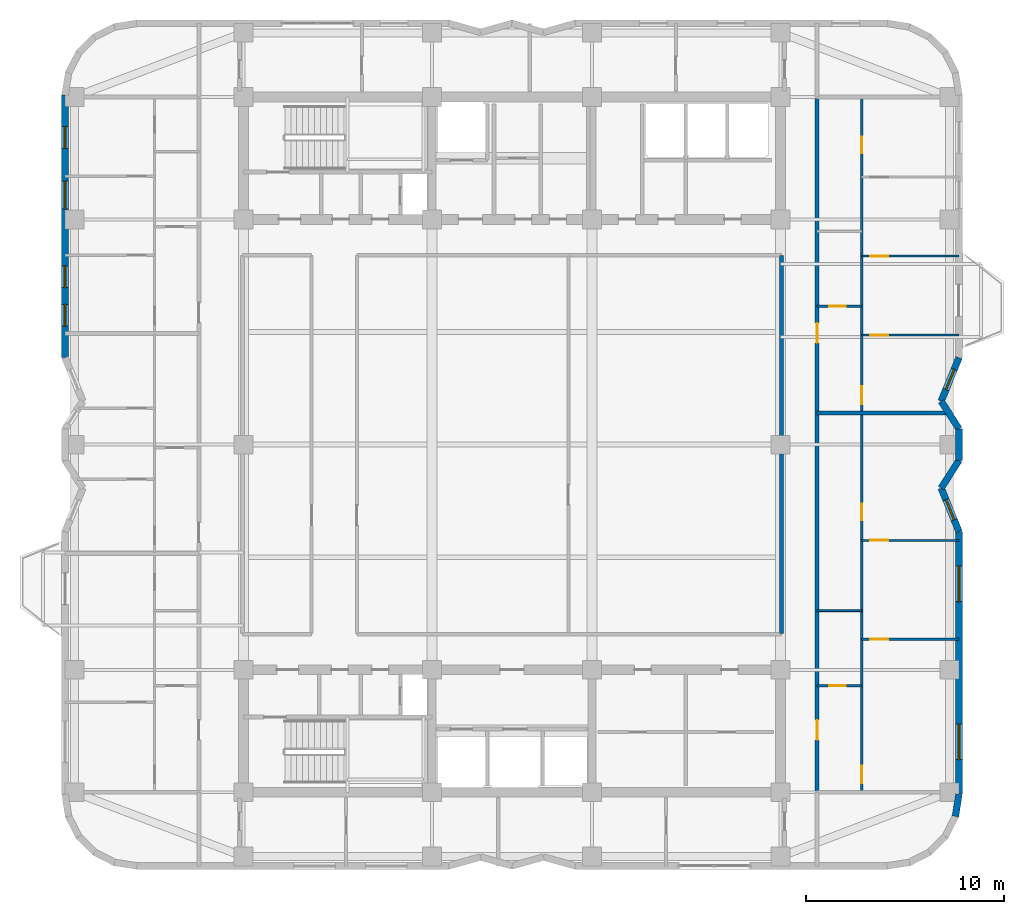
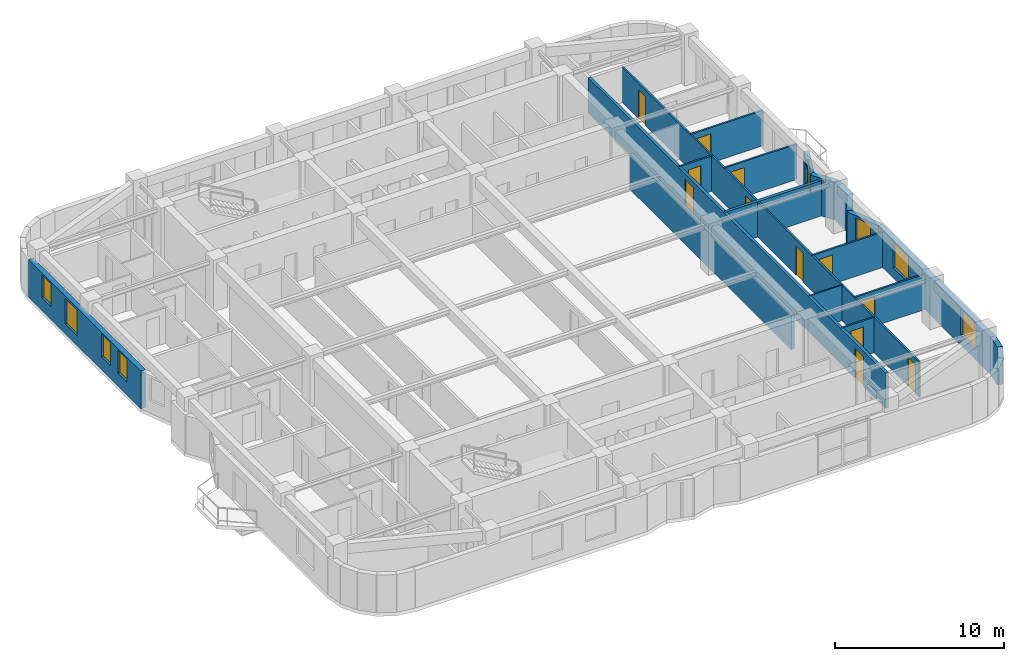
# One storey, part 7 of 12: 20 walls, 12 doors, 8 windows, 20 openings.
"""IFC4 building model written with IfcOpenShell, lengths in metres."""

from ifc_helpers import new_model, si_unit, direction, frame, frame_2d, origin, place, context, subcontext, project, spatial, rectangle, extrude, material, layer, layer_set, type_object, element, fill, save


model = new_model("IFC4")

# Units and contexts
model_context = context("Model", 3, precision=1e-05, world=origin(), true_north=direction((0.0, 1.0)))
body_context = subcontext(model_context, "Body", "Model", "MODEL_VIEW")
ifc_project = project(units=[si_unit("LENGTHUNIT", "METRE"), si_unit("AREAUNIT", "SQUARE_METRE"), si_unit("VOLUMEUNIT", "CUBIC_METRE"), si_unit("PLANEANGLEUNIT", "RADIAN"), si_unit("MASSUNIT", "GRAM", prefix="KILO")], contexts=[model_context])

# Site, building, storey
site_placement = place(None, origin())
site = spatial("IfcSite", under=ifc_project, at=site_placement, CompositionType="ELEMENT")
building_placement = place(site_placement, origin())
building = spatial("IfcBuilding", under=site, at=building_placement, Name="Svetorya Sky Lyceum", CompositionType="ELEMENT")
storey_placement = place(building_placement, frame((0.0, 0.0, 158.89990234375)))
storey = spatial("IfcBuildingStorey", under=building, at=storey_placement, Name="L39", CompositionType="ELEMENT", Elevation=158.89990234375)

# Wall
ifc_material_1 = material(Name="Putilovo limestone rainscreen on autoclaved cellular masonry", Category="masonry")
ifc_layer_1 = layer(ifc_material_1, 0.340087890625)
ifc_layer_set_1 = layer_set([ifc_layer_1], Name="Putilovo limestone rainscreen on autoclaved cellular masonry")
wall_type_1 = type_object("IfcWallType", Name="WL-EXT-340", PredefinedType="SOLIDWALL", material=ifc_layer_set_1)
wall_1_placement = place(storey_placement, frame((61.65234375, 9.37841796875, 0.0), z_axis=(0.0, 0.0, 1.0), x_axis=(0.156514556949, 0.987675651954, 0.0)))
element("IfcWall", 1, at=wall_1_placement, inside=storey, type_object=wall_type_1, Name="L39 Limestone Exterior Wall 16M", PredefinedType="SOLIDWALL", context=body_context, shape_type="SweptSolid", body=[
    extrude(rectangle(XDim=1.135498046875, YDim=0.340087890625, at=frame_2d((0.56787109375, 0.0))), origin(), (0.0, 0.0, 1.0), 2.72021484375),
])

# Wall, openings, windows
wall_2_placement = place(storey_placement, frame((61.830078125, 10.5, 0.0), z_axis=(0.0, 0.0, 1.0), x_axis=(0.0, 1.0, 0.0)))
wall_2 = element("IfcWall", 2, at=wall_2_placement, inside=storey, type_object=wall_type_1, Name="L39 Limestone Exterior Wall 17M", PredefinedType="SOLIDWALL", context=body_context, shape_type="SweptSolid", body=[
    extrude(rectangle(XDim=13.300048828125, YDim=0.340087890625, at=frame_2d((6.64990234375, 0.0))), origin(), (0.0, 0.0, 1.0), 2.72021484375),
])
opening_1_placement = place(wall_2_placement, frame((1.75, 0.0, 0.75)))
opening_1 = element("IfcOpeningElement", 3, at=opening_1_placement, cuts=wall_2, Name="Opening W-R1", PredefinedType="OPENING", context=body_context, shape_type="SweptSolid", body=[
    extrude(rectangle(XDim=1.800048828125, YDim=1.85009765625, at=frame_2d((0.89990234375, 0.925048828125))), frame((0.0, 0.179931640625, 0.0), z_axis=(0.0, -1.0, 0.0), x_axis=(1.0, 0.0, 0.0)), (0.0, 0.0, 1.0), 0.360107421875),
])
opening_2_placement = place(wall_2_placement, frame((9.75, 0.0, 0.75)))
opening_2 = element("IfcOpeningElement", 4, at=opening_2_placement, cuts=wall_2, Name="Opening W-R1", PredefinedType="OPENING", context=body_context, shape_type="SweptSolid", body=[
    extrude(rectangle(XDim=1.800048828125, YDim=1.85009765625, at=frame_2d((0.89990234375, 0.925048828125))), frame((0.0, 0.179931640625, 0.0), z_axis=(0.0, -1.0, 0.0), x_axis=(1.0, 0.0, 0.0)), (0.0, 0.0, 1.0), 0.360107421875),
])
ifc_material_2 = material(Name="Thermally broken aluminium frame with triple low-E glazing", Category="aluminium")
window_type_1 = type_object("IfcWindowType", Name="WN-RES-180", PartitioningType="DOUBLE_PANEL_VERTICAL", PredefinedType="WINDOW", material=ifc_material_2)
window_1_placement = place(opening_1_placement, origin())
window_1 = element("IfcWindow", 5, at=window_1_placement, inside=storey, type_object=window_type_1, Name="L39 Facade Window W-R1.17M.1", OverallHeight=1.85009765625, OverallWidth=1.800048828125, PartitioningType="SINGLE_PANEL", PredefinedType="WINDOW", context=body_context, shape_type="SweptSolid", body=[
    extrude(rectangle(XDim=1.800048828125, YDim=1.85009765625, at=frame_2d((0.89990234375, 0.925048828125))), frame((0.0, 0.030029296875, 0.0), z_axis=(0.0, -1.0, 0.0), x_axis=(1.0, 0.0, 0.0)), (0.0, 0.0, 1.0), 0.06005859375),
])
fill(opening_1, window_1)
window_2_placement = place(opening_2_placement, origin())
window_2 = element("IfcWindow", 6, at=window_2_placement, inside=storey, type_object=window_type_1, Name="L39 Facade Window W-R1.17M.2", OverallHeight=1.85009765625, OverallWidth=1.800048828125, PartitioningType="SINGLE_PANEL", PredefinedType="WINDOW", context=body_context, shape_type="SweptSolid", body=[
    extrude(rectangle(XDim=1.800048828125, YDim=1.85009765625, at=frame_2d((0.89990234375, 0.925048828125))), frame((0.0, 0.030029296875, 0.0), z_axis=(0.0, -1.0, 0.0), x_axis=(1.0, 0.0, 0.0)), (0.0, 0.0, 1.0), 0.06005859375),
])
fill(opening_2, window_2)

# Wall, opening, window
wall_3_placement = place(storey_placement, frame((61.830078125, 23.800048828125, 0.0), z_axis=(0.0, 0.0, 1.0), x_axis=(-0.378692835005, 0.925522412865, 0.0)))
wall_3 = element("IfcWall", 7, at=wall_3_placement, inside=storey, type_object=wall_type_1, Name="L39 Limestone Exterior Wall 18M", PredefinedType="SOLIDWALL", context=body_context, shape_type="SweptSolid", body=[
    extrude(rectangle(XDim=2.376953125, YDim=0.340087890625, at=frame_2d((1.1884765625, 0.0))), origin(), (0.0, 0.0, 1.0), 2.72021484375),
])
opening_3_placement = place(wall_3_placement, frame((0.638427734375, 0.0, 0.909912109375)))
opening_3 = element("IfcOpeningElement", 8, at=opening_3_placement, cuts=wall_3, Name="Opening W-R3", PredefinedType="OPENING", context=body_context, shape_type="SweptSolid", body=[
    extrude(rectangle(XDim=1.10009765625, YDim=1.64990234375, at=frame_2d((0.550048828125, 0.824951171875))), frame((0.0, 0.179931640625, 0.0), z_axis=(0.0, -1.0, 0.0), x_axis=(1.0, 0.0, 0.0)), (0.0, 0.0, 1.0), 0.360107421875),
])
window_type_2 = type_object("IfcWindowType", Name="WN-RES-110", PartitioningType="SINGLE_PANEL", PredefinedType="WINDOW", material=ifc_material_2)
window_3_placement = place(opening_3_placement, origin())
window_3 = element("IfcWindow", 9, at=window_3_placement, inside=storey, type_object=window_type_2, Name="L39 Facade Window W-R3.18M.1", OverallHeight=1.64990234375, OverallWidth=1.10009765625, PartitioningType="SINGLE_PANEL", PredefinedType="WINDOW", context=body_context, shape_type="SweptSolid", body=[
    extrude(rectangle(XDim=1.10009765625, YDim=1.64990234375, at=frame_2d((0.550048828125, 0.824951171875))), frame((0.0, 0.030029296875, 0.0), z_axis=(0.0, -1.0, 0.0), x_axis=(1.0, 0.0, 0.0)), (0.0, 0.0, 1.0), 0.06005859375),
])
fill(opening_3, window_3)

# Walls
wall_4_placement = place(storey_placement, frame((60.929931640625, 26.0, 0.0), z_axis=(0.0, 0.0, 1.0), x_axis=(0.540846555596, 0.841121277403, 0.0)))
element("IfcWall", 10, at=wall_4_placement, inside=storey, type_object=wall_type_1, Name="L39 Limestone Exterior Wall 19M", PredefinedType="SOLIDWALL", context=body_context, shape_type="SweptSolid", body=[
    extrude(rectangle(XDim=1.664306640625, YDim=0.340087890625, at=frame_2d((0.83203125, 0.0))), origin(), (0.0, 0.0, 1.0), 2.72021484375),
])
wall_5_placement = place(storey_placement, frame((61.830078125, 27.39990234375, 0.0), z_axis=(0.0, 0.0, 1.0), x_axis=(0.0, 1.0, 0.0)))
element("IfcWall", 11, at=wall_5_placement, inside=storey, type_object=wall_type_1, Name="L39 Limestone Exterior Wall 20M", PredefinedType="SOLIDWALL", context=body_context, shape_type="SweptSolid", body=[
    extrude(rectangle(XDim=1.60009765625, YDim=0.340087890625, at=frame_2d((0.800048828125, 0.0))), origin(), (0.0, 0.0, 1.0), 2.72021484375),
])
wall_6_placement = place(storey_placement, frame((61.830078125, 29.0, 0.0), z_axis=(0.0, 0.0, 1.0), x_axis=(-0.540846555596, 0.841121277403, 0.0)))
element("IfcWall", 12, at=wall_6_placement, inside=storey, type_object=wall_type_1, Name="L39 Limestone Exterior Wall 21M", PredefinedType="SOLIDWALL", context=body_context, shape_type="SweptSolid", body=[
    extrude(rectangle(XDim=1.664306640625, YDim=0.340087890625, at=frame_2d((0.83203125, 0.0))), origin(), (0.0, 0.0, 1.0), 2.72021484375),
])

# Wall, opening, window
wall_7_placement = place(storey_placement, frame((60.929931640625, 30.39990234375, 0.0), z_axis=(0.0, 0.0, 1.0), x_axis=(0.378656839344, 0.925537140269, 0.0)))
wall_7 = element("IfcWall", 13, at=wall_7_placement, inside=storey, type_object=wall_type_1, Name="L39 Limestone Exterior Wall 22M", PredefinedType="SOLIDWALL", context=body_context, shape_type="SweptSolid", body=[
    extrude(rectangle(XDim=2.377197265625, YDim=0.340087890625, at=frame_2d((1.1884765625, 0.0))), origin(), (0.0, 0.0, 1.0), 2.72021484375),
])
opening_4_placement = place(wall_7_placement, frame((0.638427734375, 0.0, 0.909912109375)))
opening_4 = element("IfcOpeningElement", 14, at=opening_4_placement, cuts=wall_7, Name="Opening W-R3", PredefinedType="OPENING", context=body_context, shape_type="SweptSolid", body=[
    extrude(rectangle(XDim=1.10009765625, YDim=1.64990234375, at=frame_2d((0.550048828125, 0.824951171875))), frame((0.0, 0.179931640625, 0.0), z_axis=(0.0, -1.0, 0.0), x_axis=(1.0, 0.0, 0.0)), (0.0, 0.0, 1.0), 0.360107421875),
])
window_4_placement = place(opening_4_placement, origin())
window_4 = element("IfcWindow", 15, at=window_4_placement, inside=storey, type_object=window_type_2, Name="L39 Facade Window W-R3.22M.1", OverallHeight=1.64990234375, OverallWidth=1.10009765625, PartitioningType="SINGLE_PANEL", PredefinedType="WINDOW", context=body_context, shape_type="SweptSolid", body=[
    extrude(rectangle(XDim=1.10009765625, YDim=1.64990234375, at=frame_2d((0.550048828125, 0.824951171875))), frame((0.0, 0.030029296875, 0.0), z_axis=(0.0, -1.0, 0.0), x_axis=(1.0, 0.0, 0.0)), (0.0, 0.0, 1.0), 0.06005859375),
])
fill(opening_4, window_4)

# Wall, openings, windows
wall_8_placement = place(storey_placement, frame((16.570068359375, 45.89990234375, 0.0), z_axis=(0.0, 0.0, 1.0), x_axis=(0.0, -1.0, 0.0)))
wall_8 = element("IfcWall", 16, at=wall_8_placement, inside=storey, type_object=wall_type_1, Name="L39 Limestone Exterior Wall 40M", PredefinedType="SOLIDWALL", context=body_context, shape_type="SweptSolid", body=[
    extrude(rectangle(XDim=13.2998046875, YDim=0.340087890625, at=frame_2d((6.64990234375, 0.0))), origin(), (0.0, 0.0, 1.0), 2.72021484375),
])
opening_5_placement = place(wall_8_placement, frame((1.60009765625, 0.0, 0.949951171875)))
opening_5 = element("IfcOpeningElement", 17, at=opening_5_placement, cuts=wall_8, Name="Opening W-R3", PredefinedType="OPENING", context=body_context, shape_type="SweptSolid", body=[
    extrude(rectangle(XDim=1.10009765625, YDim=1.64990234375, at=frame_2d((0.550048828125, 0.824951171875))), frame((0.0, 0.179931640625, 0.0), z_axis=(0.0, -1.0, 0.0), x_axis=(1.0, 0.0, 0.0)), (0.0, 0.0, 1.0), 0.360107421875),
])
opening_6_placement = place(wall_8_placement, frame((4.360107421875, 0.0, 0.7099609375)))
opening_6 = element("IfcOpeningElement", 18, at=opening_6_placement, cuts=wall_8, Name="Opening W-R2", PredefinedType="OPENING", context=body_context, shape_type="SweptSolid", body=[
    extrude(rectangle(XDim=1.39990234375, YDim=1.85009765625, at=frame_2d((0.699951171875, 0.925048828125))), frame((0.0, 0.179931640625, 0.0), z_axis=(0.0, -1.0, 0.0), x_axis=(1.0, 0.0, 0.0)), (0.0, 0.0, 1.0), 0.360107421875),
])
opening_7_placement = place(wall_8_placement, frame((8.64990234375, 0.0, 0.949951171875)))
opening_7 = element("IfcOpeningElement", 19, at=opening_7_placement, cuts=wall_8, Name="Opening W-R3", PredefinedType="OPENING", context=body_context, shape_type="SweptSolid", body=[
    extrude(rectangle(XDim=1.10009765625, YDim=1.64990234375, at=frame_2d((0.550048828125, 0.824951171875))), frame((0.0, 0.179931640625, 0.0), z_axis=(0.0, -1.0, 0.0), x_axis=(1.0, 0.0, 0.0)), (0.0, 0.0, 1.0), 0.360107421875),
])
opening_8_placement = place(wall_8_placement, frame((10.60009765625, 0.0, 0.949951171875)))
opening_8 = element("IfcOpeningElement", 20, at=opening_8_placement, cuts=wall_8, Name="Opening W-R3", PredefinedType="OPENING", context=body_context, shape_type="SweptSolid", body=[
    extrude(rectangle(XDim=1.10009765625, YDim=1.64990234375, at=frame_2d((0.550048828125, 0.824951171875))), frame((0.0, 0.179931640625, 0.0), z_axis=(0.0, -1.0, 0.0), x_axis=(1.0, 0.0, 0.0)), (0.0, 0.0, 1.0), 0.360107421875),
])
window_5_placement = place(opening_5_placement, origin())
window_5 = element("IfcWindow", 21, at=window_5_placement, inside=storey, type_object=window_type_2, Name="L39 Facade Window W-R3.40M.1", OverallHeight=1.64990234375, OverallWidth=1.10009765625, PartitioningType="SINGLE_PANEL", PredefinedType="WINDOW", context=body_context, shape_type="SweptSolid", body=[
    extrude(rectangle(XDim=1.10009765625, YDim=1.64990234375, at=frame_2d((0.550048828125, 0.824951171875))), frame((0.0, 0.030029296875, 0.0), z_axis=(0.0, -1.0, 0.0), x_axis=(1.0, 0.0, 0.0)), (0.0, 0.0, 1.0), 0.06005859375),
])
fill(opening_5, window_5)
window_6_placement = place(opening_7_placement, origin())
window_6 = element("IfcWindow", 22, at=window_6_placement, inside=storey, type_object=window_type_2, Name="L39 Facade Window W-R3.40M.2", OverallHeight=1.64990234375, OverallWidth=1.10009765625, PartitioningType="SINGLE_PANEL", PredefinedType="WINDOW", context=body_context, shape_type="SweptSolid", body=[
    extrude(rectangle(XDim=1.10009765625, YDim=1.64990234375, at=frame_2d((0.550048828125, 0.824951171875))), frame((0.0, 0.030029296875, 0.0), z_axis=(0.0, -1.0, 0.0), x_axis=(1.0, 0.0, 0.0)), (0.0, 0.0, 1.0), 0.06005859375),
])
fill(opening_7, window_6)
window_7_placement = place(opening_8_placement, origin())
window_7 = element("IfcWindow", 23, at=window_7_placement, inside=storey, type_object=window_type_2, Name="L39 Facade Window W-R3.40M.3", OverallHeight=1.64990234375, OverallWidth=1.10009765625, PartitioningType="SINGLE_PANEL", PredefinedType="WINDOW", context=body_context, shape_type="SweptSolid", body=[
    extrude(rectangle(XDim=1.10009765625, YDim=1.64990234375, at=frame_2d((0.550048828125, 0.824951171875))), frame((0.0, 0.030029296875, 0.0), z_axis=(0.0, -1.0, 0.0), x_axis=(1.0, 0.0, 0.0)), (0.0, 0.0, 1.0), 0.06005859375),
])
fill(opening_8, window_7)
window_type_3 = type_object("IfcWindowType", Name="WN-RES-140", PartitioningType="SINGLE_PANEL", PredefinedType="WINDOW", material=ifc_material_2)
window_8_placement = place(opening_6_placement, origin())
window_8 = element("IfcWindow", 24, at=window_8_placement, inside=storey, type_object=window_type_3, Name="L39 Facade Window W-R2.40M.4", OverallHeight=1.85009765625, OverallWidth=1.39990234375, PartitioningType="SINGLE_PANEL", PredefinedType="WINDOW", context=body_context, shape_type="SweptSolid", body=[
    extrude(rectangle(XDim=1.39990234375, YDim=1.85009765625, at=frame_2d((0.699951171875, 0.925048828125))), frame((0.0, 0.030029296875, 0.0), z_axis=(0.0, -1.0, 0.0), x_axis=(1.0, 0.0, 0.0)), (0.0, 0.0, 1.0), 0.06005859375),
])
fill(opening_6, window_8)

# Wall
ifc_material_3 = material(Name="Galvanized stud partition with moisture-resistant board", Category="gypsum")
ifc_layer_2 = layer(ifc_material_3, 0.10009765625)
ifc_layer_set_2 = layer_set([ifc_layer_2], Name="Galvanized stud partition with moisture-resistant board")
wall_type_2 = type_object("IfcWallType", Name="WL-PART-100", PredefinedType="PARTITIONING", material=ifc_layer_set_2)
wall_9_placement = place(storey_placement, frame((54.64990234375, 19.800048828125, 0.0), z_axis=(0.0, 0.0, 1.0), x_axis=(1.0, 0.0, 0.0)))
element("IfcWall", 25, at=wall_9_placement, inside=storey, type_object=wall_type_2, Name="L39 Interior Partition E1-WH2", PredefinedType="PARTITIONING", context=body_context, shape_type="SweptSolid", body=[
    extrude(rectangle(XDim=2.25, YDim=0.10009765625, at=frame_2d((1.125, 0.0))), origin(), (0.0, 0.0, 1.0), 2.550048828125),
])

# Wall, opening, door
ifc_material_4 = material(Name="Twin-stud galvanized framing with double fireboard", Category="gypsum")
ifc_layer_3 = layer(ifc_material_4, 0.1201171875)
ifc_layer_set_3 = layer_set([ifc_layer_3], Name="Twin-stud galvanized framing with double fireboard")
wall_type_3 = type_object("IfcWallType", Name="WL-PART-120", PredefinedType="PARTITIONING", material=ifc_layer_set_3)
wall_10_placement = place(storey_placement, frame((54.64990234375, 16.0, 0.0), z_axis=(0.0, 0.0, 1.0), x_axis=(1.0, 0.0, 0.0)))
wall_10 = element("IfcWall", 26, at=wall_10_placement, inside=storey, type_object=wall_type_3, Name="L39 Interior Partition E1-WH1", PredefinedType="PARTITIONING", context=body_context, shape_type="SweptSolid", body=[
    extrude(rectangle(XDim=2.25, YDim=0.1201171875, at=frame_2d((1.125, 0.0))), origin(), (0.0, 0.0, 1.0), 2.550048828125),
])
opening_9_placement = place(wall_10_placement, frame((0.60009765625, 0.0, 0.0)))
opening_9 = element("IfcOpeningElement", 27, at=opening_9_placement, cuts=wall_10, Name="Opening D-BT1", PredefinedType="OPENING", context=body_context, shape_type="SweptSolid", body=[
    extrude(rectangle(XDim=0.85009765625, YDim=2.10009765625, at=frame_2d((0.425048828125, 1.050048828125))), frame((0.0, 0.070068359375, 0.0), z_axis=(0.0, -1.0, 0.0), x_axis=(1.0, 0.0, 0.0)), (0.0, 0.0, 1.0), 0.14013671875),
])
ifc_material_5 = material(Name="Moisture-resistant laminate bathroom door")
door_type_1 = type_object("IfcDoorType", Name="DR-WET-850", OperationType="SINGLE_SWING_LEFT", PredefinedType="DOOR", material=ifc_material_5)
door_1_placement = place(opening_9_placement, origin())
door_1 = element("IfcDoor", 28, at=door_1_placement, inside=storey, type_object=door_type_1, Name="Apartment E1 Bathroom Door", OperationType="SINGLE_SWING_RIGHT", OverallHeight=2.10009765625, OverallWidth=0.85009765625, PredefinedType="DOOR", context=body_context, shape_type="SweptSolid", body=[
    extrude(rectangle(XDim=0.85009765625, YDim=2.10009765625, at=frame_2d((0.425048828125, 1.050048828125))), frame((0.0, 0.02490234375, 0.0), z_axis=(0.0, -1.0, 0.0), x_axis=(1.0, 0.0, 0.0)), (0.0, 0.0, 1.0), 0.050048828125),
])
fill(opening_9, door_1)

wall_11_placement = place(storey_placement, frame((56.89990234375, 18.35009765625, 0.0), z_axis=(0.0, 0.0, 1.0), x_axis=(1.0, 0.0, 0.0)))
wall_11 = element("IfcWall", 29, at=wall_11_placement, inside=storey, type_object=wall_type_3, Name="L39 Interior Partition E1-WL1", PredefinedType="PARTITIONING", context=body_context, shape_type="SweptSolid", body=[
    extrude(rectangle(XDim=4.93017578125, YDim=0.1201171875, at=frame_2d((2.465087890625, 0.0))), origin(), (0.0, 0.0, 1.0), 2.550048828125),
])
opening_10_placement = place(wall_11_placement, frame((0.449951171875, 0.0, 0.0)))
opening_10 = element("IfcOpeningElement", 30, at=opening_10_placement, cuts=wall_11, Name="Opening D-RM1", PredefinedType="OPENING", context=body_context, shape_type="SweptSolid", body=[
    extrude(rectangle(XDim=0.89990234375, YDim=2.10009765625, at=frame_2d((0.449951171875, 1.050048828125))), frame((0.0, 0.070068359375, 0.0), z_axis=(0.0, -1.0, 0.0), x_axis=(1.0, 0.0, 0.0)), (0.0, 0.0, 1.0), 0.14013671875),
])
ifc_material_6 = material(Name="Lacquered birch veneer internal door")
door_type_2 = type_object("IfcDoorType", Name="DR-INT-900", OperationType="SINGLE_SWING_LEFT", PredefinedType="DOOR", material=ifc_material_6)
door_2_placement = place(opening_10_placement, origin())
door_2 = element("IfcDoor", 31, at=door_2_placement, inside=storey, type_object=door_type_2, Name="Apartment E1 Master Bedroom Door", OperationType="SINGLE_SWING_RIGHT", OverallHeight=2.10009765625, OverallWidth=0.89990234375, PredefinedType="DOOR", context=body_context, shape_type="SweptSolid", body=[
    extrude(rectangle(XDim=0.89990234375, YDim=2.10009765625, at=frame_2d((0.449951171875, 1.050048828125))), frame((0.0, 0.02490234375, 0.0), z_axis=(0.0, -1.0, 0.0), x_axis=(1.0, 0.0, 0.0)), (0.0, 0.0, 1.0), 0.050048828125),
])
fill(opening_10, door_2)

wall_12_placement = place(storey_placement, frame((56.89990234375, 23.35009765625, 0.0), z_axis=(0.0, 0.0, 1.0), x_axis=(1.0, 0.0, 0.0)))
wall_12 = element("IfcWall", 32, at=wall_12_placement, inside=storey, type_object=wall_type_3, Name="L39 Interior Partition E1-WL2", PredefinedType="PARTITIONING", context=body_context, shape_type="SweptSolid", body=[
    extrude(rectangle(XDim=4.93017578125, YDim=0.1201171875, at=frame_2d((2.465087890625, 0.0))), origin(), (0.0, 0.0, 1.0), 2.550048828125),
])
opening_11_placement = place(wall_12_placement, frame((0.449951171875, 0.0, 0.0)))
opening_11 = element("IfcOpeningElement", 33, at=opening_11_placement, cuts=wall_12, Name="Opening D-RM1", PredefinedType="OPENING", context=body_context, shape_type="SweptSolid", body=[
    extrude(rectangle(XDim=0.89990234375, YDim=2.10009765625, at=frame_2d((0.449951171875, 1.050048828125))), frame((0.0, 0.070068359375, 0.0), z_axis=(0.0, -1.0, 0.0), x_axis=(1.0, 0.0, 0.0)), (0.0, 0.0, 1.0), 0.14013671875),
])
door_3_placement = place(opening_11_placement, origin())
door_3 = element("IfcDoor", 34, at=door_3_placement, inside=storey, type_object=door_type_2, Name="Apartment E1 Bedroom 2 Door", OperationType="SINGLE_SWING_LEFT", OverallHeight=2.10009765625, OverallWidth=0.89990234375, PredefinedType="DOOR", context=body_context, shape_type="SweptSolid", body=[
    extrude(rectangle(XDim=0.89990234375, YDim=2.10009765625, at=frame_2d((0.449951171875, 1.050048828125))), frame((0.0, 0.02490234375, 0.0), z_axis=(0.0, -1.0, 0.0), x_axis=(1.0, 0.0, 0.0)), (0.0, 0.0, 1.0), 0.050048828125),
])
fill(opening_11, door_3)

# Wall, openings, doors
wall_13_placement = place(storey_placement, frame((56.89990234375, 10.639892578125, 0.0), z_axis=(0.0, 0.0, 1.0), x_axis=(0.0, 1.0, 0.0)))
wall_13 = element("IfcWall", 35, at=wall_13_placement, inside=storey, type_object=wall_type_3, Name="L39 Interior Partition E1-WV", PredefinedType="PARTITIONING", context=body_context, shape_type="SweptSolid", body=[
    extrude(rectangle(XDim=19.1201171875, YDim=0.1201171875, at=frame_2d((9.56005859375, 0.0))), origin(), (0.0, 0.0, 1.0), 2.550048828125),
])
opening_12_placement = place(wall_13_placement, frame((0.409912109375, 0.0, 0.0)))
opening_12 = element("IfcOpeningElement", 36, at=opening_12_placement, cuts=wall_13, Name="Opening D-RM1", PredefinedType="OPENING", context=body_context, shape_type="SweptSolid", body=[
    extrude(rectangle(XDim=0.89990234375, YDim=2.10009765625, at=frame_2d((0.449951171875, 1.050048828125))), frame((0.0, 0.070068359375, 0.0), z_axis=(0.0, -1.0, 0.0), x_axis=(1.0, 0.0, 0.0)), (0.0, 0.0, 1.0), 0.14013671875),
])
opening_13_placement = place(wall_13_placement, frame((13.735107421875, 0.0, 0.0)))
opening_13 = element("IfcOpeningElement", 37, at=opening_13_placement, cuts=wall_13, Name="Opening D-BT2", PredefinedType="OPENING", context=body_context, shape_type="SweptSolid", body=[
    extrude(rectangle(XDim=0.820068359375, YDim=2.080078125, at=frame_2d((0.41015625, 1.0400390625))), frame((0.0, 0.070068359375, 0.0), z_axis=(0.0, -1.0, 0.0), x_axis=(1.0, 0.0, 0.0)), (0.0, 0.0, 1.0), 0.14013671875),
])
door_4_placement = place(opening_12_placement, origin())
door_4 = element("IfcDoor", 38, at=door_4_placement, inside=storey, type_object=door_type_2, Name="Apartment E1 Living Door", OperationType="SINGLE_SWING_LEFT", OverallHeight=2.10009765625, OverallWidth=0.89990234375, PredefinedType="DOOR", context=body_context, shape_type="SweptSolid", body=[
    extrude(rectangle(XDim=0.89990234375, YDim=2.10009765625, at=frame_2d((0.449951171875, 1.050048828125))), frame((0.0, 0.02490234375, 0.0), z_axis=(0.0, -1.0, 0.0), x_axis=(1.0, 0.0, 0.0)), (0.0, 0.0, 1.0), 0.050048828125),
])
fill(opening_12, door_4)
ifc_material_7 = material(Name="Compact moisture-resistant laminate closet door")
door_type_3 = type_object("IfcDoorType", Name="DR-WET-820", OperationType="SINGLE_SWING_LEFT", PredefinedType="DOOR", material=ifc_material_7)
door_5_placement = place(opening_13_placement, origin())
door_5 = element("IfcDoor", 39, at=door_5_placement, inside=storey, type_object=door_type_3, Name="Apartment E1 Study Door", OperationType="SINGLE_SWING_RIGHT", OverallHeight=2.080078125, OverallWidth=0.820068359375, PredefinedType="DOOR", context=body_context, shape_type="SweptSolid", body=[
    extrude(rectangle(XDim=0.820068359375, YDim=2.080078125, at=frame_2d((0.41015625, 1.0400390625))), frame((0.0, 0.02490234375, 0.0), z_axis=(0.0, -1.0, 0.0), x_axis=(1.0, 0.0, 0.0)), (0.0, 0.0, 1.0), 0.050048828125),
])
fill(opening_13, door_5)

# Wall, opening, door
wall_14_placement = place(storey_placement, frame((54.64990234375, 35.199951171875, 0.0), z_axis=(0.0, 0.0, 1.0), x_axis=(1.0, 0.0, 0.0)))
wall_14 = element("IfcWall", 40, at=wall_14_placement, inside=storey, type_object=wall_type_3, Name="L39 Interior Partition E2-WH1", PredefinedType="PARTITIONING", context=body_context, shape_type="SweptSolid", body=[
    extrude(rectangle(XDim=2.25, YDim=0.1201171875, at=frame_2d((1.125, 0.0))), origin(), (0.0, 0.0, 1.0), 2.550048828125),
])
opening_14_placement = place(wall_14_placement, frame((0.60009765625, 0.0, 0.0)))
opening_14 = element("IfcOpeningElement", 41, at=opening_14_placement, cuts=wall_14, Name="Opening D-BT1", PredefinedType="OPENING", context=body_context, shape_type="SweptSolid", body=[
    extrude(rectangle(XDim=0.85009765625, YDim=2.10009765625, at=frame_2d((0.425048828125, 1.050048828125))), frame((0.0, 0.070068359375, 0.0), z_axis=(0.0, -1.0, 0.0), x_axis=(1.0, 0.0, 0.0)), (0.0, 0.0, 1.0), 0.14013671875),
])
door_6_placement = place(opening_14_placement, origin())
door_6 = element("IfcDoor", 42, at=door_6_placement, inside=storey, type_object=door_type_1, Name="Apartment E2 Bathroom Door", OperationType="SINGLE_SWING_LEFT", OverallHeight=2.10009765625, OverallWidth=0.85009765625, PredefinedType="DOOR", context=body_context, shape_type="SweptSolid", body=[
    extrude(rectangle(XDim=0.85009765625, YDim=2.10009765625, at=frame_2d((0.425048828125, 1.050048828125))), frame((0.0, 0.02490234375, 0.0), z_axis=(0.0, -1.0, 0.0), x_axis=(1.0, 0.0, 0.0)), (0.0, 0.0, 1.0), 0.050048828125),
])
fill(opening_14, door_6)

wall_15_placement = place(storey_placement, frame((56.89990234375, 33.75, 0.0), z_axis=(0.0, 0.0, 1.0), x_axis=(1.0, 0.0, 0.0)))
wall_15 = element("IfcWall", 43, at=wall_15_placement, inside=storey, type_object=wall_type_3, Name="L39 Interior Partition E2-WL1", PredefinedType="PARTITIONING", context=body_context, shape_type="SweptSolid", body=[
    extrude(rectangle(XDim=4.93017578125, YDim=0.1201171875, at=frame_2d((2.465087890625, 0.0))), origin(), (0.0, 0.0, 1.0), 2.550048828125),
])
opening_15_placement = place(wall_15_placement, frame((0.449951171875, 0.0, 0.0)))
opening_15 = element("IfcOpeningElement", 44, at=opening_15_placement, cuts=wall_15, Name="Opening D-RM1", PredefinedType="OPENING", context=body_context, shape_type="SweptSolid", body=[
    extrude(rectangle(XDim=0.89990234375, YDim=2.10009765625, at=frame_2d((0.449951171875, 1.050048828125))), frame((0.0, 0.070068359375, 0.0), z_axis=(0.0, -1.0, 0.0), x_axis=(1.0, 0.0, 0.0)), (0.0, 0.0, 1.0), 0.14013671875),
])
door_7_placement = place(opening_15_placement, origin())
door_7 = element("IfcDoor", 45, at=door_7_placement, inside=storey, type_object=door_type_2, Name="Apartment E2 Master Bedroom Door", OperationType="SINGLE_SWING_LEFT", OverallHeight=2.10009765625, OverallWidth=0.89990234375, PredefinedType="DOOR", context=body_context, shape_type="SweptSolid", body=[
    extrude(rectangle(XDim=0.89990234375, YDim=2.10009765625, at=frame_2d((0.449951171875, 1.050048828125))), frame((0.0, 0.02490234375, 0.0), z_axis=(0.0, -1.0, 0.0), x_axis=(1.0, 0.0, 0.0)), (0.0, 0.0, 1.0), 0.050048828125),
])
fill(opening_15, door_7)

wall_16_placement = place(storey_placement, frame((56.89990234375, 37.75, 0.0), z_axis=(0.0, 0.0, 1.0), x_axis=(1.0, 0.0, 0.0)))
wall_16 = element("IfcWall", 46, at=wall_16_placement, inside=storey, type_object=wall_type_3, Name="L39 Interior Partition E2-WL2", PredefinedType="PARTITIONING", context=body_context, shape_type="SweptSolid", body=[
    extrude(rectangle(XDim=4.93017578125, YDim=0.1201171875, at=frame_2d((2.465087890625, 0.0))), origin(), (0.0, 0.0, 1.0), 2.550048828125),
])
opening_16_placement = place(wall_16_placement, frame((0.449951171875, 0.0, 0.0)))
opening_16 = element("IfcOpeningElement", 47, at=opening_16_placement, cuts=wall_16, Name="Opening D-RM1", PredefinedType="OPENING", context=body_context, shape_type="SweptSolid", body=[
    extrude(rectangle(XDim=0.89990234375, YDim=2.10009765625, at=frame_2d((0.449951171875, 1.050048828125))), frame((0.0, 0.070068359375, 0.0), z_axis=(0.0, -1.0, 0.0), x_axis=(1.0, 0.0, 0.0)), (0.0, 0.0, 1.0), 0.14013671875),
])
door_8_placement = place(opening_16_placement, origin())
door_8 = element("IfcDoor", 48, at=door_8_placement, inside=storey, type_object=door_type_2, Name="Apartment E2 Bedroom 2 Door", OperationType="SINGLE_SWING_RIGHT", OverallHeight=2.10009765625, OverallWidth=0.89990234375, PredefinedType="DOOR", context=body_context, shape_type="SweptSolid", body=[
    extrude(rectangle(XDim=0.89990234375, YDim=2.10009765625, at=frame_2d((0.449951171875, 1.050048828125))), frame((0.0, 0.02490234375, 0.0), z_axis=(0.0, -1.0, 0.0), x_axis=(1.0, 0.0, 0.0)), (0.0, 0.0, 1.0), 0.050048828125),
])
fill(opening_16, door_8)

# Wall, openings, doors
wall_17_placement = place(storey_placement, frame((56.89990234375, 29.840087890625, 0.0), z_axis=(0.0, 0.0, 1.0), x_axis=(0.0, 1.0, 0.0)))
wall_17 = element("IfcWall", 49, at=wall_17_placement, inside=storey, type_object=wall_type_3, Name="L39 Interior Partition E2-WV", PredefinedType="PARTITIONING", context=body_context, shape_type="SweptSolid", body=[
    extrude(rectangle(XDim=15.919921875, YDim=0.1201171875, at=frame_2d((7.9599609375, 0.0))), origin(), (0.0, 0.0, 1.0), 2.550048828125),
])
opening_17_placement = place(wall_17_placement, frame((0.409912109375, 0.0, 0.0)))
opening_17 = element("IfcOpeningElement", 50, at=opening_17_placement, cuts=wall_17, Name="Opening D-RM1", PredefinedType="OPENING", context=body_context, shape_type="SweptSolid", body=[
    extrude(rectangle(XDim=0.89990234375, YDim=2.10009765625, at=frame_2d((0.449951171875, 1.050048828125))), frame((0.0, 0.070068359375, 0.0), z_axis=(0.0, -1.0, 0.0), x_axis=(1.0, 0.0, 0.0)), (0.0, 0.0, 1.0), 0.14013671875),
])
opening_18_placement = place(wall_17_placement, frame((13.125, 0.0, 0.0)))
opening_18 = element("IfcOpeningElement", 51, at=opening_18_placement, cuts=wall_17, Name="Opening D-BT2", PredefinedType="OPENING", context=body_context, shape_type="SweptSolid", body=[
    extrude(rectangle(XDim=0.820068359375, YDim=2.080078125, at=frame_2d((0.41015625, 1.0400390625))), frame((0.0, 0.070068359375, 0.0), z_axis=(0.0, -1.0, 0.0), x_axis=(1.0, 0.0, 0.0)), (0.0, 0.0, 1.0), 0.14013671875),
])
door_9_placement = place(opening_17_placement, origin())
door_9 = element("IfcDoor", 52, at=door_9_placement, inside=storey, type_object=door_type_2, Name="Apartment E2 Living Door", OperationType="SINGLE_SWING_RIGHT", OverallHeight=2.10009765625, OverallWidth=0.89990234375, PredefinedType="DOOR", context=body_context, shape_type="SweptSolid", body=[
    extrude(rectangle(XDim=0.89990234375, YDim=2.10009765625, at=frame_2d((0.449951171875, 1.050048828125))), frame((0.0, 0.02490234375, 0.0), z_axis=(0.0, -1.0, 0.0), x_axis=(1.0, 0.0, 0.0)), (0.0, 0.0, 1.0), 0.050048828125),
])
fill(opening_17, door_9)
door_10_placement = place(opening_18_placement, origin())
door_10 = element("IfcDoor", 53, at=door_10_placement, inside=storey, type_object=door_type_3, Name="Apartment E2 Study Door", OperationType="SINGLE_SWING_LEFT", OverallHeight=2.080078125, OverallWidth=0.820068359375, PredefinedType="DOOR", context=body_context, shape_type="SweptSolid", body=[
    extrude(rectangle(XDim=0.820068359375, YDim=2.080078125, at=frame_2d((0.41015625, 1.0400390625))), frame((0.0, 0.02490234375, 0.0), z_axis=(0.0, -1.0, 0.0), x_axis=(1.0, 0.0, 0.0)), (0.0, 0.0, 1.0), 0.050048828125),
])
fill(opening_18, door_10)

# Walls
ifc_material_8 = material(Name="Autoclaved cellular masonry blockwork with gypsum plaster", Category="masonry")
ifc_layer_4 = layer(ifc_material_8, 0.199951171875)
ifc_layer_set_4 = layer_set([ifc_layer_4], Name="Autoclaved cellular masonry blockwork with gypsum plaster")
wall_type_4 = type_object("IfcWallType", Name="WL-PART-200", PredefinedType="PARTITIONING", material=ifc_layer_set_4)
wall_18_placement = place(storey_placement, frame((52.85009765625, 18.6298828125, 0.0), z_axis=(0.0, 0.0, 1.0), x_axis=(0.0, 1.0, 0.0)))
element("IfcWall", 54, at=wall_18_placement, inside=storey, type_object=wall_type_4, Name="L39 Interior Partition E-CEN-SEP", PredefinedType="PARTITIONING", context=body_context, shape_type="SweptSolid", body=[
    extrude(rectangle(XDim=19.14013671875, YDim=0.199951171875, at=frame_2d((9.570068359375, 0.0))), origin(), (0.0, 0.0, 1.0), 2.550048828125),
])
wall_19_placement = place(storey_placement, frame((54.64990234375, 29.800048828125, 0.0), z_axis=(0.0, 0.0, 1.0), x_axis=(1.0, 0.0, 0.0)))
element("IfcWall", 55, at=wall_19_placement, inside=storey, type_object=wall_type_4, Name="L39 Interior Partition E-PARTY-1", PredefinedType="PARTITIONING", context=body_context, shape_type="SweptSolid", body=[
    extrude(rectangle(XDim=6.665771484375, YDim=0.199951171875, at=frame_2d((3.3330078125, 0.0))), origin(), (0.0, 0.0, 1.0), 2.550048828125),
])

# Wall, openings, doors
wall_20_placement = place(storey_placement, frame((54.64990234375, 10.60009765625, 0.0), z_axis=(0.0, 0.0, 1.0), x_axis=(0.0, 1.0, 0.0)))
wall_20 = element("IfcWall", 56, at=wall_20_placement, inside=storey, type_object=wall_type_4, Name="L39 Interior Partition E-CORRW", PredefinedType="PARTITIONING", context=body_context, shape_type="SweptSolid", body=[
    extrude(rectangle(XDim=35.199951171875, YDim=0.199951171875, at=frame_2d((17.60009765625, 0.0))), origin(), (0.0, 0.0, 1.0), 2.550048828125),
])
opening_19_placement = place(wall_20_placement, frame((2.64990234375, 0.0, 0.0)))
opening_19 = element("IfcOpeningElement", 57, at=opening_19_placement, cuts=wall_20, Name="Opening D-APT1", PredefinedType="OPENING", context=body_context, shape_type="SweptSolid", body=[
    extrude(rectangle(XDim=1.0, YDim=2.14990234375, at=frame_2d((0.5, 1.074951171875))), frame((0.0, 0.10986328125, 0.0), z_axis=(0.0, -1.0, 0.0), x_axis=(1.0, 0.0, 0.0)), (0.0, 0.0, 1.0), 0.219970703125),
])
opening_20_placement = place(wall_20_placement, frame((22.75, 0.0, 0.0)))
opening_20 = element("IfcOpeningElement", 58, at=opening_20_placement, cuts=wall_20, Name="Opening D-APT1", PredefinedType="OPENING", context=body_context, shape_type="SweptSolid", body=[
    extrude(rectangle(XDim=1.0, YDim=2.14990234375, at=frame_2d((0.5, 1.074951171875))), frame((0.0, 0.10986328125, 0.0), z_axis=(0.0, -1.0, 0.0), x_axis=(1.0, 0.0, 0.0)), (0.0, 0.0, 1.0), 0.219970703125),
])
ifc_material_9 = material(Name="Insulated oak-veneered apartment entrance door")
door_type_4 = type_object("IfcDoorType", Name="DR-APT-1000", OperationType="SINGLE_SWING_LEFT", PredefinedType="DOOR", material=ifc_material_9)
door_11_placement = place(opening_19_placement, origin())
door_11 = element("IfcDoor", 59, at=door_11_placement, inside=storey, type_object=door_type_4, Name="L39 Apartment E1 Entrance Door", OperationType="SINGLE_SWING_RIGHT", OverallHeight=2.14990234375, OverallWidth=1.0, PredefinedType="DOOR", context=body_context, shape_type="SweptSolid", body=[
    extrude(rectangle(XDim=1.0, YDim=2.14990234375, at=frame_2d((0.5, 1.074951171875))), frame((0.0, 0.02490234375, 0.0), z_axis=(0.0, -1.0, 0.0), x_axis=(1.0, 0.0, 0.0)), (0.0, 0.0, 1.0), 0.050048828125),
])
fill(opening_19, door_11)
door_12_placement = place(opening_20_placement, origin())
door_12 = element("IfcDoor", 60, at=door_12_placement, inside=storey, type_object=door_type_4, Name="L39 Apartment E2 Entrance Door", OperationType="SINGLE_SWING_LEFT", OverallHeight=2.14990234375, OverallWidth=1.0, PredefinedType="DOOR", context=body_context, shape_type="SweptSolid", body=[
    extrude(rectangle(XDim=1.0, YDim=2.14990234375, at=frame_2d((0.5, 1.074951171875))), frame((0.0, 0.02490234375, 0.0), z_axis=(0.0, -1.0, 0.0), x_axis=(1.0, 0.0, 0.0)), (0.0, 0.0, 1.0), 0.050048828125),
])
fill(opening_20, door_12)

save(model, "model.ifc")
